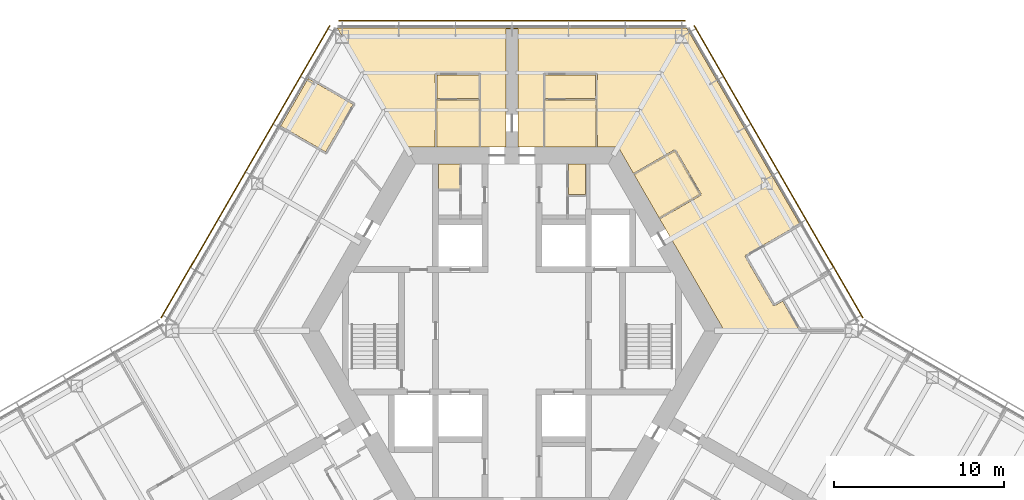
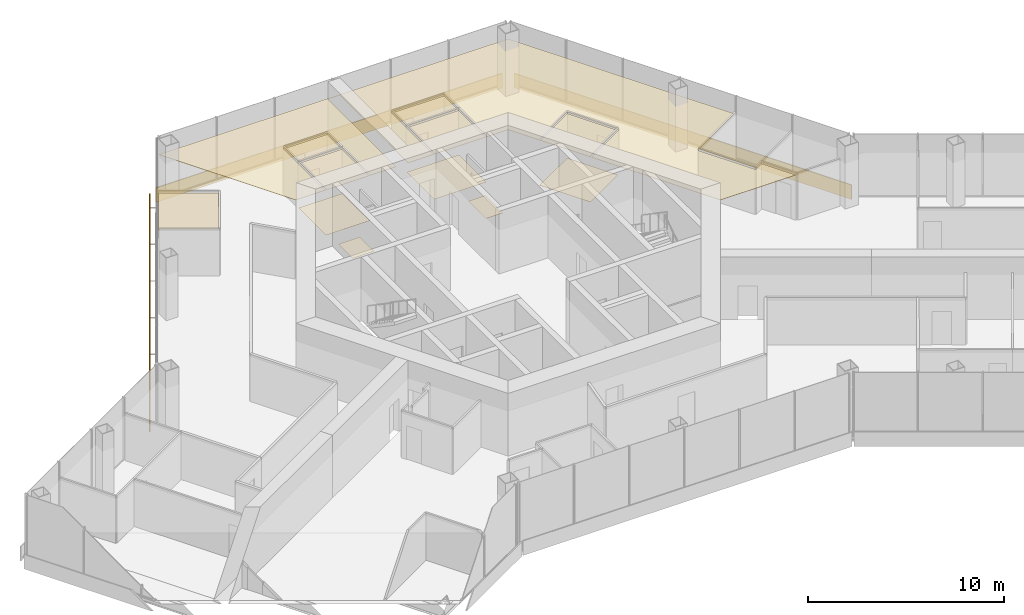
# One storey, part 18 of 18: 13 coverings, 3 shading devices.
"""IFC4 building model written with IfcOpenShell, lengths in metres."""

from ifc_helpers import new_model, si_unit, direction, frame, origin, origin_2d, place, context, subcontext, project, spatial, polyline, rectangle, outline, extrude, material, layer, layer_set, type_object, element, save


model = new_model("IFC4")

# Units and contexts
model_context = context("Model", 3, precision=1e-05, world=origin(), true_north=direction((0.0, 1.0)))
body_context = subcontext(model_context, "Body", "Model", "MODEL_VIEW")
ifc_project = project(units=[si_unit("LENGTHUNIT", "METRE"), si_unit("AREAUNIT", "SQUARE_METRE"), si_unit("VOLUMEUNIT", "CUBIC_METRE"), si_unit("PLANEANGLEUNIT", "RADIAN"), si_unit("MASSUNIT", "GRAM", prefix="KILO")], contexts=[model_context])

# Site, building, storey
site_placement = place(None, origin())
site = spatial("IfcSite", under=ifc_project, at=site_placement, CompositionType="ELEMENT")
building_placement = place(site_placement, origin())
building = spatial("IfcBuilding", under=site, at=building_placement, Name="Kasaneha Research Tower", CompositionType="ELEMENT")
storey_placement = place(building_placement, frame((0.0, 0.0, 191.60009765625)))
storey = spatial("IfcBuildingStorey", under=building, at=storey_placement, Name="L48", CompositionType="ELEMENT", Elevation=191.60009765625)

# Coverings
ifc_material_1 = material(Name="Gypsum ceiling board", Category="gypsum")
ifc_layer_1 = layer(ifc_material_1, 0.02001953125)
ifc_layer_set_1 = layer_set([ifc_layer_1], Name="Suspended ceiling 20")
covering_type_1 = type_object("IfcCoveringType", Name="Suspended ceiling 20", PredefinedType="CEILING", material=ifc_layer_set_1)
covering_1_placement = place(storey_placement, frame((0.0, 0.0, 2.7998046875)))
element("IfcCovering", 1, at=covering_1_placement, inside=storey, type_object=covering_type_1, Name="Ceiling L48-27", PredefinedType="CEILING", context=body_context, shape_type="SweptSolid", body=[
    extrude(outline(polyline([(1.89990234375, 10.824951171875), (1.89990234375, 10.844970703125), (1.949951171875, 10.844970703125), (1.95458984375, 13.570068359375), (4.91650390625, 13.570068359375), (4.9208984375, 10.844970703125), (4.970947265625, 10.844970703125), (4.970947265625, 10.824951171875), (1.89990234375, 10.824951171875)])), origin(), (0.0, 0.0, 1.0), 0.02001953125),
])
covering_2_placement = place(storey_placement, frame((0.0, 0.0, 2.7998046875)))
element("IfcCovering", 2, at=covering_2_placement, inside=storey, type_object=covering_type_1, Name="Ceiling L48-28", PredefinedType="CEILING", context=body_context, shape_type="SweptSolid", body=[
    extrude(outline(polyline([(4.91650390625, 13.669921875), (1.954345703125, 13.669921875), (1.9501953125, 15.074951171875), (4.9208984375, 15.074951171875), (4.91650390625, 13.669921875)])), origin(), (0.0, 0.0, 1.0), 0.02001953125),
])
covering_3_placement = place(storey_placement, frame((0.0, 0.0, 2.7998046875)))
element("IfcCovering", 3, at=covering_3_placement, inside=storey, type_object=covering_type_1, Name="Ceiling L48-29", PredefinedType="CEILING", context=body_context, shape_type="SweptSolid", body=[
    extrude(outline(polyline([(7.1748046875, 9.222900390625), (7.19189453125, 9.23291015625), (7.217041015625, 9.189697265625), (9.581298828125, 10.5546875), (11.03125, 8.043212890625), (8.6669921875, 6.67822265625), (8.69189453125, 6.635009765625), (8.6748046875, 6.625), (7.1748046875, 9.222900390625)])), origin(), (0.0, 0.0, 1.0), 0.02001953125),
])
covering_4_placement = place(storey_placement, frame((0.0, 0.0, 2.7998046875)))
element("IfcCovering", 4, at=covering_4_placement, inside=storey, type_object=covering_type_1, Name="Ceiling L48-32", PredefinedType="CEILING", context=body_context, shape_type="SweptSolid", body=[
    extrude(outline(polyline([(8.692138671875, 6.634521484375), (8.717041015625, 6.591552734375), (11.12451171875, 7.981689453125), (11.099609375, 8.02490234375), (11.10009765625, 8.025146484375), (11.10009765625, 8.025146484375), (11.142822265625, 8.0498046875), (9.642822265625, 10.64794921875), (9.599853515625, 10.623291015625), (9.599853515625, 10.62353515625), (9.599365234375, 10.623291015625), (9.57470703125, 10.666259765625), (7.1669921875, 9.2763671875), (7.191650390625, 9.2333984375), (7.174560546875, 9.223388671875), (6.249755859375, 10.824951171875), (4.971435546875, 10.824951171875), (4.971435546875, 10.844970703125), (5.02099609375, 10.844970703125), (5.016357421875, 13.625), (5.02099609375, 15.124755859375), (4.971435546875, 15.125), (4.971435546875, 15.12548828125), (4.970947265625, 15.12548828125), (4.970947265625, 15.175048828125), (1.89990234375, 15.175048828125), (1.89990234375, 15.125244140625), (1.899658203125, 15.125244140625), (1.899658203125, 15.125), (1.85009765625, 15.124755859375), (1.8544921875, 13.625), (1.85009765625, 10.844970703125), (1.8994140625, 10.844970703125), (1.8994140625, 10.824951171875), (0.35009765625, 10.824951171875), (0.35009765625, 11.72509765625), (0.35009765625, 12.72509765625), (0.35009765625, 17.7705078125), (0.35009765625, 17.7705078125), (0.0, 17.7705078125), (0.0, 17.820556640625), (10.28857421875, 17.820556640625), (16.94677734375, 6.28857421875), (13.742431640625, 4.4384765625), (13.767333984375, 4.3955078125), (13.766845703125, 4.395263671875), (13.76708984375, 4.39501953125), (13.72412109375, 4.3701171875), (15.3896484375, 1.485595703125), (15.432373046875, 1.51025390625), (15.432373046875, 1.51025390625), (15.432861328125, 1.510498046875), (15.4580078125, 1.46728515625), (15.93798828125, 1.744384765625), (16.93994140625, 0.0), (12.49951171875, 0.0), (8.675048828125, 6.62451171875), (8.692138671875, 6.634521484375)])), origin(), (0.0, 0.0, 1.0), 0.02001953125),
])
covering_5_placement = place(storey_placement, frame((0.0, 0.0, 2.7998046875)))
element("IfcCovering", 5, at=covering_5_placement, inside=storey, type_object=covering_type_1, Name="Ceiling L48-33", PredefinedType="CEILING", context=body_context, shape_type="SweptSolid", body=[
    extrude(outline(polyline([(-4.470947265625, 10.824951171875), (-4.470947265625, 10.844970703125), (-4.4208984375, 10.844970703125), (-4.41650390625, 13.570068359375), (-1.95458984375, 13.570068359375), (-1.949951171875, 10.844970703125), (-1.89990234375, 10.844970703125), (-1.89990234375, 10.824951171875), (-4.470947265625, 10.824951171875)])), origin(), (0.0, 0.0, 1.0), 0.02001953125),
])
covering_6_placement = place(storey_placement, frame((0.0, 0.0, 2.7998046875)))
element("IfcCovering", 6, at=covering_6_placement, inside=storey, type_object=covering_type_1, Name="Ceiling L48-34", PredefinedType="CEILING", context=body_context, shape_type="SweptSolid", body=[
    extrude(outline(polyline([(-1.95458984375, 13.669921875), (-4.41650390625, 13.669921875), (-4.4208984375, 15.074951171875), (-1.9501953125, 15.074951171875), (-1.95458984375, 13.669921875)])), origin(), (0.0, 0.0, 1.0), 0.02001953125),
])
covering_7_placement = place(storey_placement, frame((0.0, 0.0, 2.7998046875)))
element("IfcCovering", 7, at=covering_7_placement, inside=storey, type_object=covering_type_1, Name="Ceiling L48-35", PredefinedType="CEILING", context=body_context, shape_type="SweptSolid", body=[
    extrude(outline(polyline([(-0.35009765625, 11.72509765625), (-0.35009765625, 10.824951171875), (-1.8994140625, 10.824951171875), (-1.8994140625, 10.844970703125), (-1.85009765625, 10.844970703125), (-1.854736328125, 13.625), (-1.85009765625, 15.124755859375), (-1.89990234375, 15.125), (-1.89990234375, 15.12548828125), (-1.89990234375, 15.175048828125), (-4.470947265625, 15.175048828125), (-4.470947265625, 15.125244140625), (-4.471435546875, 15.125244140625), (-4.471435546875, 15.125), (-4.52099609375, 15.124755859375), (-4.516357421875, 13.625), (-4.52099609375, 10.844970703125), (-4.471435546875, 10.844970703125), (-4.471435546875, 10.824951171875), (-6.249755859375, 10.824951171875), (-10.28857421875, 17.820556640625), (0.0, 17.820556640625), (0.0, 17.7705078125), (-0.35009765625, 17.7705078125), (-0.35009765625, 17.7705078125), (-0.35009765625, 12.72509765625), (-0.35009765625, 11.72509765625)])), origin(), (0.0, 0.0, 1.0), 0.02001953125),
])
covering_8_placement = place(storey_placement, frame((0.0, 0.0, 2.7998046875)))
element("IfcCovering", 8, at=covering_8_placement, inside=storey, type_object=covering_type_1, Name="Ceiling L48-39", PredefinedType="CEILING", context=body_context, shape_type="SweptSolid", body=[
    extrude(outline(polyline([(-12.000244140625, 14.85595703125), (-9.35888671875, 13.330810546875), (-10.974365234375, 10.53271484375), (-13.598388671875, 12.0478515625), (-13.623291015625, 12.004638671875), (-13.640869140625, 12.0146484375), (-12.000244140625, 14.85595703125)])), origin(), (0.0, 0.0, 1.0), 0.02001953125),
])

# Shading devices
ifc_material_2 = material(Name="Terracotta", Category="masonry")
ifc_layer_2 = layer(ifc_material_2, 0.06005859375)
ifc_layer_set_2 = layer_set([ifc_layer_2], Name="Terracotta baguette screen")
shading_device_type = type_object("IfcShadingDeviceType", Name="Terracotta baguette screen", PredefinedType="USERDEFINED", material=ifc_layer_set_2)
shading_device_1_placement = place(storey_placement, frame((15.696044921875, 9.35498046875, -0.449951171875), z_axis=(0.0, 0.0, 1.0), x_axis=(-0.499999979232, 0.866025415775, 0.0)))
element("IfcShadingDevice", 9, at=shading_device_1_placement, inside=storey, type_object=shading_device_type, Name="Baguette screen L48 06", ObjectType="TERRACOTTA BAGUETTE SCREEN", PredefinedType="USERDEFINED", context=body_context, shape_type="SweptSolid", body=[
    extrude(rectangle(XDim=19.8857421875, YDim=0.06005859375, at=origin_2d()), origin(), (0.0, 0.0, 1.0), 0.89990234375),
])
shading_device_2_placement = place(storey_placement, frame((0.0, 18.2705078125, -0.449951171875), z_axis=(0.0, 0.0, 1.0), x_axis=(-1.0, 0.0, 0.0)))
element("IfcShadingDevice", 10, at=shading_device_2_placement, inside=storey, type_object=shading_device_type, Name="Baguette screen L48 07", ObjectType="TERRACOTTA BAGUETTE SCREEN", PredefinedType="USERDEFINED", context=body_context, shape_type="SweptSolid", body=[
    extrude(rectangle(XDim=20.392822265625, YDim=0.06005859375, at=origin_2d()), origin(), (0.0, 0.0, 1.0), 0.89990234375),
])
shading_device_3_placement = place(storey_placement, frame((-15.696044921875, 9.35498046875, -0.449951171875), z_axis=(0.0, 0.0, 1.0), x_axis=(-0.499999979232, -0.866025415775, 0.0)))
element("IfcShadingDevice", 11, at=shading_device_3_placement, inside=storey, type_object=shading_device_type, Name="Baguette screen L48 08", ObjectType="TERRACOTTA BAGUETTE SCREEN", PredefinedType="USERDEFINED", context=body_context, shape_type="SweptSolid", body=[
    extrude(rectangle(XDim=19.8857421875, YDim=0.06005859375, at=origin_2d()), origin(), (0.0, 0.0, 1.0), 0.89990234375),
])

# Coverings
ifc_material_3 = material(Name="Vinyl sheet flooring", Category="plastic")
ifc_layer_3 = layer(ifc_material_3, 0.0048828125)
ifc_layer_set_3 = layer_set([ifc_layer_3], Name="Wet room sheet flooring 5")
covering_type_2 = type_object("IfcCoveringType", Name="Wet room sheet flooring 5", PredefinedType="FLOORING", material=ifc_layer_set_3)
covering_9_placement = place(storey_placement, origin())
element("IfcCovering", 12, at=covering_9_placement, inside=storey, type_object=covering_type_2, Name="Floor finish L48-07", PredefinedType="FLOORING", context=body_context, shape_type="SweptSolid", body=[
    extrude(outline(polyline([(-4.324951171875, 8.35498046875), (-4.324951171875, 9.824951171875), (-3.074951171875, 9.824951171875), (-3.074951171875, 8.35498046875), (-4.324951171875, 8.35498046875)])), origin(), (0.0, 0.0, 1.0), 0.0048828125),
])
covering_10_placement = place(storey_placement, origin())
element("IfcCovering", 13, at=covering_10_placement, inside=storey, type_object=covering_type_2, Name="Floor finish L48-10", PredefinedType="FLOORING", context=body_context, shape_type="SweptSolid", body=[
    extrude(outline(polyline([(4.324951171875, 8.02490234375), (3.324951171875, 8.02490234375), (3.324951171875, 9.824951171875), (4.324951171875, 9.824951171875), (4.324951171875, 8.02490234375)])), origin(), (0.0, 0.0, 1.0), 0.0048828125),
])
covering_11_placement = place(storey_placement, origin())
element("IfcCovering", 14, at=covering_11_placement, inside=storey, type_object=covering_type_2, Name="Floor finish L48-27", PredefinedType="FLOORING", context=body_context, shape_type="SweptSolid", body=[
    extrude(outline(polyline([(4.970947265625, 13.625), (4.970947265625, 10.824951171875), (1.89990234375, 10.824951171875), (1.89990234375, 13.625), (4.970947265625, 13.625)])), origin(), (0.0, 0.0, 1.0), 0.0048828125),
])
covering_12_placement = place(storey_placement, origin())
element("IfcCovering", 15, at=covering_12_placement, inside=storey, type_object=covering_type_2, Name="Floor finish L48-29", PredefinedType="FLOORING", context=body_context, shape_type="SweptSolid", body=[
    extrude(outline(polyline([(11.099609375, 8.02490234375), (8.6748046875, 6.625), (7.1748046875, 9.222900390625), (9.599609375, 10.623046875), (11.099609375, 8.02490234375)])), origin(), (0.0, 0.0, 1.0), 0.0048828125),
])
covering_13_placement = place(storey_placement, origin())
element("IfcCovering", 16, at=covering_13_placement, inside=storey, type_object=covering_type_2, Name="Floor finish L48-33", PredefinedType="FLOORING", context=body_context, shape_type="SweptSolid", body=[
    extrude(outline(polyline([(-1.89990234375, 13.625), (-1.89990234375, 10.824951171875), (-4.470947265625, 10.824951171875), (-4.470947265625, 13.625), (-1.89990234375, 13.625)])), origin(), (0.0, 0.0, 1.0), 0.0048828125),
])

save(model, "model.ifc")
